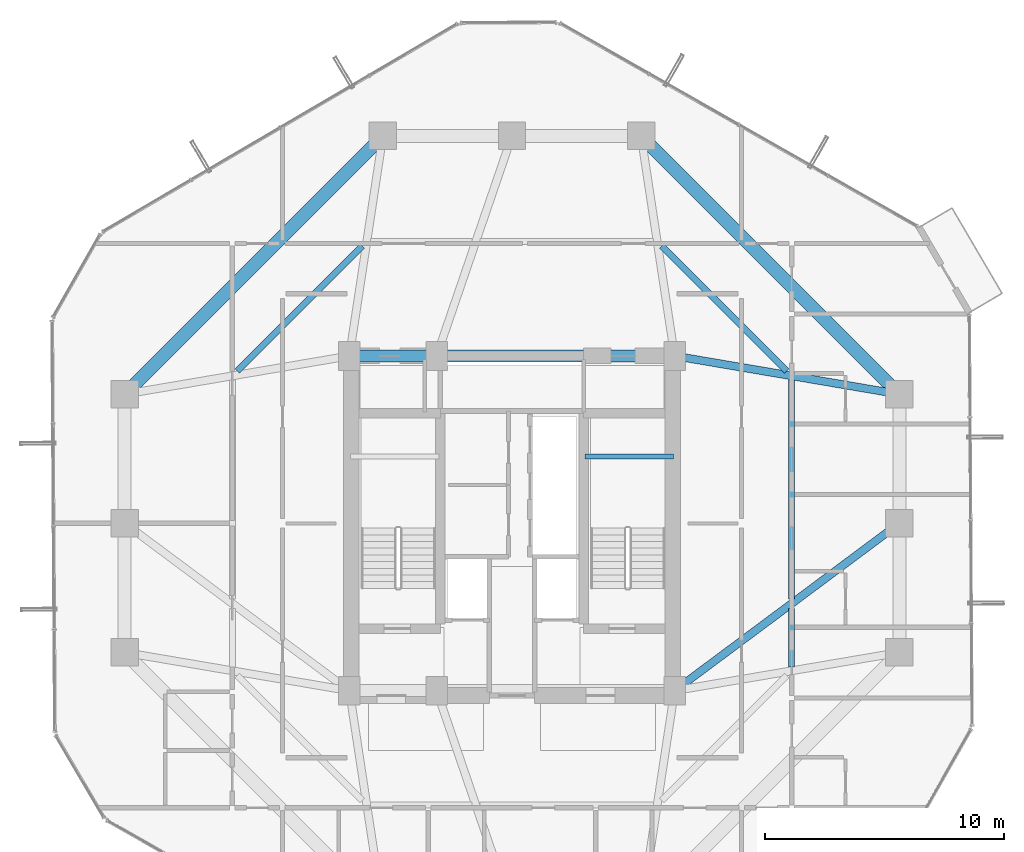
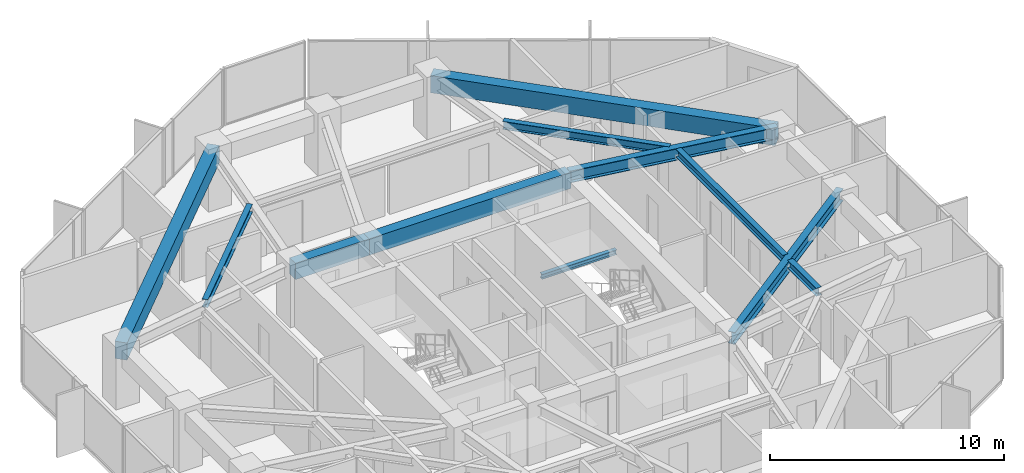
# One storey, part 12 of 30: 11 beams.
"""IFC4 building model written with IfcOpenShell, lengths in metres."""

from ifc_helpers import new_model, si_unit, direction, frame, origin, origin_2d, place, context, subcontext, project, spatial, rectangle, i_section, extrude, material, material_profile, profile_set, type_object, element, save


model = new_model("IFC4")

# Units and contexts
model_context = context("Model", 3, precision=1e-05, world=origin(), true_north=direction((0.0, 1.0)))
body_context = subcontext(model_context, "Body", "Model", "MODEL_VIEW")
ifc_project = project(units=[si_unit("LENGTHUNIT", "METRE"), si_unit("AREAUNIT", "SQUARE_METRE"), si_unit("VOLUMEUNIT", "CUBIC_METRE"), si_unit("PLANEANGLEUNIT", "RADIAN"), si_unit("MASSUNIT", "GRAM", prefix="KILO")], contexts=[model_context])

# Site, building, storey
site_placement = place(None, origin())
site = spatial("IfcSite", under=ifc_project, at=site_placement, CompositionType="ELEMENT")
building_placement = place(site_placement, origin())
building = spatial("IfcBuilding", under=site, at=building_placement, Name="Veraguas Prism Commons", CompositionType="ELEMENT")
storey_placement = place(building_placement, frame((0.0, 0.0, 129.5)))
storey = spatial("IfcBuildingStorey", under=building, at=storey_placement, Name="L36", CompositionType="ELEMENT", Elevation=129.5)

# Beams
ifc_material_1 = material(Name="Concrete C50/60", Category="concrete")
ifc_material_profile_1 = material_profile(ifc_material_1, rectangle(XDim=0.5, YDim=0.85009765625, at=origin_2d()), Name="RC500X850")
ifc_profile_set_1 = profile_set([ifc_material_profile_1], Name="Concrete C50/60")
beam_type_1 = type_object("IfcBeamType", Name="Core Coupling Beam RC 500x850", PredefinedType="BEAM", material=ifc_profile_set_1)
beam_1_placement = place(storey_placement, frame((17.199951171875, 31.0, 2.574951171875), z_axis=(1.0, 0.0, 0.0), x_axis=(0.0, 1.0, 0.0)))
element("IfcBeam", 1, at=beam_1_placement, inside=storey, type_object=beam_type_1, Name="Core Coupling Beam L36-CRN1", PredefinedType="BEAM", context=body_context, shape_type="SweptSolid", body=[
    extrude(rectangle(XDim=0.5, YDim=0.85009765625, at=origin_2d()), origin(), (0.0, 0.0, 1.0), 3.650146484375),
])
beam_2_placement = place(storey_placement, frame((20.85009765625, 31.0, 2.574951171875), z_axis=(1.0, 0.0, 0.0), x_axis=(0.0, 1.0, 0.0)))
element("IfcBeam", 2, at=beam_2_placement, inside=storey, type_object=beam_type_1, Name="Core Coupling Beam L36-CRN2", PredefinedType="BEAM", context=body_context, shape_type="SweptSolid", body=[
    extrude(rectangle(XDim=0.5, YDim=0.85009765625, at=origin_2d()), origin(), (0.0, 0.0, 1.0), 9.949951171875),
])
ifc_material_2 = material(Name="Steel ASTM A992 Grade 50", Category="steel")
ifc_material_profile_2 = material_profile(ifc_material_2, i_section(OverallWidth=0.260986328125, OverallDepth=0.419921875, WebThickness=0.01171875, FlangeThickness=0.019287109375, at=origin_2d()), Name="W410X114")
ifc_profile_set_2 = profile_set([ifc_material_profile_2], Name="Steel ASTM A992 Grade 50")
beam_type_2 = type_object("IfcBeamType", Name="Lower Floor Joist W410x114", PredefinedType="JOIST", material=ifc_profile_set_2)
beam_3_placement = place(storey_placement, frame((35.68798828125, 17.996337890625, 2.7900390625), z_axis=(0.0, 1.0, 0.0), x_axis=(-1.0, 0.0, 0.0)))
element("IfcBeam", 3, at=beam_3_placement, inside=storey, type_object=beam_type_2, Name="Composite Floor Joist L36-JS01", PredefinedType="JOIST", context=body_context, shape_type="SweptSolid", body=[
    extrude(i_section(OverallWidth=0.260986328125, OverallDepth=0.419921875, WebThickness=0.01171875, FlangeThickness=0.019287109375, at=origin_2d()), origin(), (0.0, 0.0, 1.0), 2.441650390625),
])
beam_4_placement = place(storey_placement, frame((35.68798828125, 20.842041015625, 2.7900390625), z_axis=(0.0, 1.0, 0.0), x_axis=(-1.0, 0.0, 0.0)))
element("IfcBeam", 4, at=beam_4_placement, inside=storey, type_object=beam_type_2, Name="Composite Floor Joist L36-JS02", PredefinedType="JOIST", context=body_context, shape_type="SweptSolid", body=[
    extrude(i_section(OverallWidth=0.260986328125, OverallDepth=0.419921875, WebThickness=0.01171875, FlangeThickness=0.019287109375, at=origin_2d()), origin(), (0.0, 0.0, 1.0), 9.16162109375),
])
for number, where, z_axis, x_axis, name in (
    (5, (35.489990234375, 30.365966796875, 2.7900390625), (-0.707090260193, 0.707123301794, 0.0), (-0.707123301794, -0.707090260193, 0.0), "Composite Floor Joist L36-JS03"),
    (6, (17.734619140625, 35.5908203125, 2.7900390625), (-0.707090260193, -0.707123301794, 0.0), (0.707123301794, -0.707090260193, 0.0), "Composite Floor Joist L36-JS06"),
):
    element("IfcBeam", number, at=place(storey_placement, frame(where, z_axis=z_axis, x_axis=x_axis)), inside=storey, type_object=beam_type_2, Name=name, PredefinedType="JOIST", context=body_context, shape_type="SweptSolid", body=[
        extrude(i_section(OverallWidth=0.260986328125, OverallDepth=0.419921875, WebThickness=0.01171875, FlangeThickness=0.019287109375, at=origin_2d()), origin(), (0.0, 0.0, 1.0), 7.388916015625),
    ])
ifc_material_profile_3 = material_profile(ifc_material_1, rectangle(XDim=0.550048828125, YDim=0.89990234375, at=origin_2d()), Name="RC550X900")
ifc_profile_set_3 = profile_set([ifc_material_profile_3], Name="Concrete C50/60")
beam_type_3 = type_object("IfcBeamType", Name="Perimeter Spandrel Lower RC 550x900", PredefinedType="SPANDREL", material=ifc_profile_set_3)
for number, where, z_axis, x_axis, name in (
    (7, (40.199951171875, 29.39990234375, 2.550048828125), (-0.707106781187, 0.707106781187, 0.0), (-0.707106781187, -0.707106781187, 0.0), "Perimeter Spandrel Beam L36-SP03"),
    (8, (18.60009765625, 40.199951171875, 2.550048828125), (-0.707106781187, -0.707106781187, 0.0), (0.707106781187, -0.707106781187, 0.0), "Perimeter Spandrel Beam L36-SP06"),
):
    element("IfcBeam", number, at=place(storey_placement, frame(where, z_axis=z_axis, x_axis=x_axis)), inside=storey, type_object=beam_type_3, Name=name, PredefinedType="SPANDREL", context=body_context, shape_type="SweptSolid", body=[
        extrude(rectangle(XDim=0.550048828125, YDim=0.89990234375, at=origin_2d()), origin(), (0.0, 0.0, 1.0), 15.273681640625),
    ])
ifc_material_profile_4 = material_profile(ifc_material_2, i_section(OverallWidth=0.202880859375, OverallDepth=0.251953125, WebThickness=0.008056640625, FlangeThickness=0.013427734375, at=origin_2d()), Name="W250X58")
ifc_profile_set_4 = profile_set([ifc_material_profile_4], Name="Steel ASTM A992 Grade 50")
beam_type_4 = type_object("IfcBeamType", Name="Structural Opening Lintel W250x58", PredefinedType="LINTEL", material=ifc_profile_set_4)
beam_5_placement = place(storey_placement, frame((27.050048828125, 26.800048828125, 1.299072265625), z_axis=(1.0, 0.0, 0.0), x_axis=(0.0, 1.0, 0.0)))
element("IfcBeam", 9, at=beam_5_placement, inside=storey, type_object=beam_type_4, Name="Stair ST-02 Half-Landing Support Beam L36-1", PredefinedType="LINTEL", context=body_context, shape_type="SweptSolid", body=[
    extrude(i_section(OverallWidth=0.202880859375, OverallDepth=0.251953125, WebThickness=0.008056640625, FlangeThickness=0.013427734375, at=origin_2d()), origin(), (0.0, 0.0, 1.0), 3.699951171875),
])
ifc_material_profile_5 = material_profile(ifc_material_2, i_section(OverallWidth=0.327880859375, OverallDepth=0.6220703125, WebThickness=0.015380859375, FlangeThickness=0.0244140625, at=origin_2d()), Name="W610X195")
ifc_profile_set_5 = profile_set([ifc_material_profile_5], Name="Steel ASTM A992 Grade 50")
beam_type_5 = type_object("IfcBeamType", Name="Zone 2 Radial Girder W610x195", PredefinedType="BEAM", material=ifc_profile_set_5)
beam_6_placement = place(storey_placement, frame((40.199951171875, 24.0, 2.68896484375), z_axis=(-0.802040137921, -0.597270137512, 0.0), x_axis=(0.597270137512, -0.802040137921, 0.0)))
element("IfcBeam", 10, at=beam_6_placement, inside=storey, type_object=beam_type_5, Name="Radial Floor Girder L36-RD02", PredefinedType="BEAM", context=body_context, shape_type="SweptSolid", body=[
    extrude(i_section(OverallWidth=0.327880859375, OverallDepth=0.6220703125, WebThickness=0.015380859375, FlangeThickness=0.0244140625, at=origin_2d()), origin(), (0.0, 0.0, 1.0), 11.719970703125),
])
beam_7_placement = place(storey_placement, frame((40.199951171875, 29.39990234375, 2.68896484375), z_axis=(-0.985819187151, 0.1678109956, 0.0), x_axis=(-0.1678109956, -0.985819187151, 0.0)))
element("IfcBeam", 11, at=beam_7_placement, inside=storey, type_object=beam_type_5, Name="Radial Floor Girder L36-RD03", PredefinedType="BEAM", context=body_context, shape_type="SweptSolid", body=[
    extrude(i_section(OverallWidth=0.327880859375, OverallDepth=0.6220703125, WebThickness=0.015380859375, FlangeThickness=0.0244140625, at=origin_2d()), origin(), (0.0, 0.0, 1.0), 9.53515625),
])

save(model, "model.ifc")
